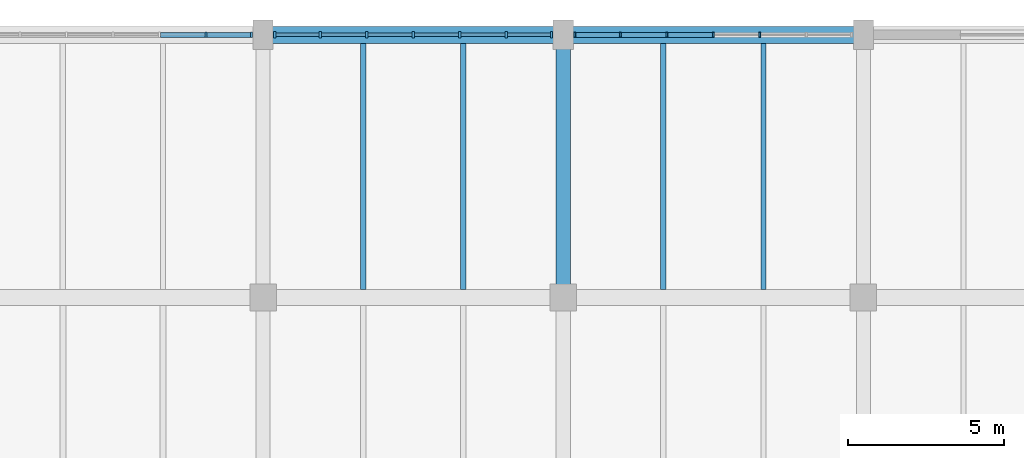
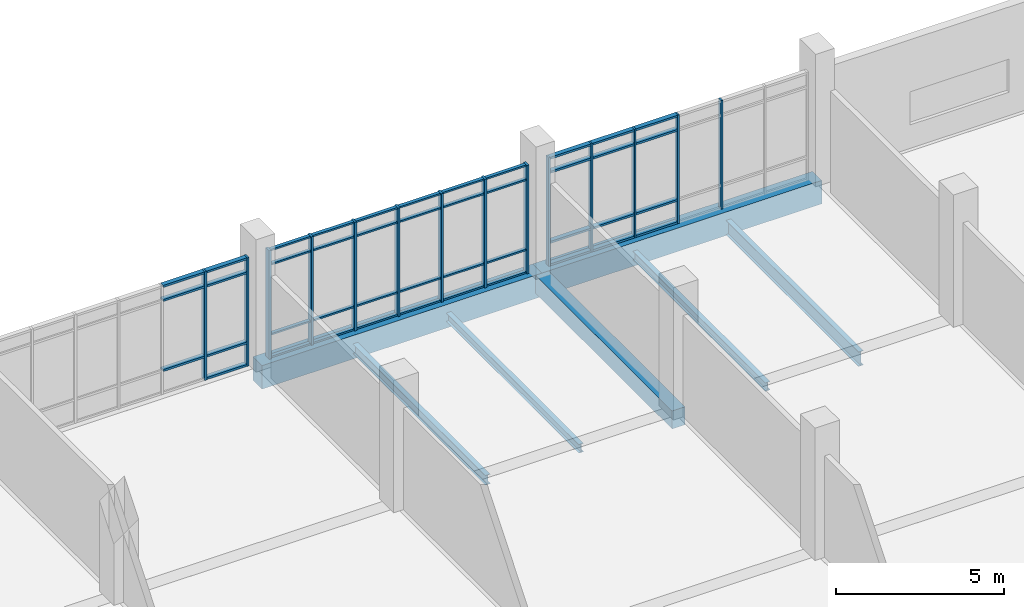
# One storey, part 79 of 152: 57 members, 7 beams, 3 elements without a shape of their own.
"""IFC4 building model written with IfcOpenShell, lengths in metres."""

from ifc_helpers import new_model, si_unit, direction, frame, origin, origin_2d, place, context, subcontext, project, spatial, rectangle, i_section, extrude, material, material_profile, profile_set, type_object, element, aggregate, save


model = new_model("IFC4")

# Units and contexts
model_context = context("Model", 3, precision=1e-05, world=origin(), true_north=direction((0.0, 1.0)))
body_context = subcontext(model_context, "Body", "Model", "MODEL_VIEW")
ifc_project = project(units=[si_unit("LENGTHUNIT", "METRE"), si_unit("AREAUNIT", "SQUARE_METRE"), si_unit("VOLUMEUNIT", "CUBIC_METRE"), si_unit("PLANEANGLEUNIT", "RADIAN"), si_unit("MASSUNIT", "GRAM", prefix="KILO")], contexts=[model_context])

# Site, building, storey
site_placement = place(None, origin())
site = spatial("IfcSite", under=ifc_project, at=site_placement, CompositionType="ELEMENT")
building_placement = place(site_placement, origin())
building = spatial("IfcBuilding", under=site, at=building_placement, Name="Oolite Switchyard Hospital", CompositionType="ELEMENT")
storey_placement = place(building_placement, frame((0.0, 0.0, 5.10009765625)))
storey = spatial("IfcBuildingStorey", under=building, at=storey_placement, Name="L01", CompositionType="ELEMENT", Elevation=5.10009765625)

# Beams
ifc_material_1 = material(Name="Concrete C40/50", Category="concrete")
ifc_material_profile_1 = material_profile(ifc_material_1, rectangle(XDim=0.449951171875, YDim=0.64990234375, at=origin_2d()), Name="RCB450X650")
ifc_profile_set_1 = profile_set([ifc_material_profile_1], Name="Concrete C40/50")
beam_type_1 = type_object("IfcBeamType", Name="BM-RC450X650", PredefinedType="BEAM", material=ifc_profile_set_1)
beam_1_placement = place(storey_placement, frame((48.0, 126.0, -0.3251953125), z_axis=(0.0, 1.0, 0.0), x_axis=(-1.0, 0.0, 0.0)))
element("IfcBeam", 1, at=beam_1_placement, inside=storey, type_object=beam_type_1, Name="L01 Y-Girder 381", PredefinedType="BEAM", context=body_context, shape_type="SweptSolid", body=[
    extrude(rectangle(XDim=0.449951171875, YDim=0.64990234375, at=origin_2d()), origin(), (0.0, 0.0, 1.0), 8.39990234375),
])
ifc_material_profile_2 = material_profile(ifc_material_1, rectangle(XDim=0.550048828125, YDim=0.85009765625, at=origin_2d()), Name="RCB550X850")
ifc_profile_set_2 = profile_set([ifc_material_profile_2], Name="Concrete C40/50")
beam_type_2 = type_object("IfcBeamType", Name="BM-RC550X850", PredefinedType="BEAM", material=ifc_profile_set_2)
for number, where, z_axis, x_axis, name in (
    (2, (38.39990234375, 134.39990234375, -0.425048828125), (1.0, 0.0, 0.0), (0.0, 1.0, 0.0), "L01 X-Girder 274"),
    (3, (48.0, 134.39990234375, -0.425048828125), (1.0, 0.0, 0.0), (0.0, 1.0, 0.0), "L01 X-Girder 275"),
):
    element("IfcBeam", number, at=place(storey_placement, frame(where, z_axis=z_axis, x_axis=x_axis)), inside=storey, type_object=beam_type_2, Name=name, PredefinedType="BEAM", context=body_context, shape_type="SweptSolid", body=[
        extrude(rectangle(XDim=0.550048828125, YDim=0.85009765625, at=origin_2d()), origin(), (0.0, 0.0, 1.0), 9.60009765625),
    ])
ifc_material_2 = material(Name="Steel ASTM A992 Grade 50", Category="steel")
ifc_material_profile_3 = material_profile(ifc_material_2, i_section(OverallWidth=0.1650390625, OverallDepth=0.31005859375, WebThickness=0.006103515625, FlangeThickness=0.010009765625, at=origin_2d()), Name="W12X26")
ifc_profile_set_3 = profile_set([ifc_material_profile_3], Name="Steel ASTM A992 Grade 50")
beam_type_3 = type_object("IfcBeamType", Name="BM-W12X26", PredefinedType="JOIST", material=ifc_profile_set_3)
for number, where, z_axis, x_axis, name in (
    (4, (44.800048828125, 126.25, -0.455078125), (0.0, 1.0, 0.0), (-1.0, 0.0, 0.0), "L01 Secondary Steel Joist 709"),
    (5, (51.199951171875, 126.25, -0.455078125), (0.0, 1.0, 0.0), (-1.0, 0.0, 0.0), "L01 Secondary Steel Joist 736"),
):
    element("IfcBeam", number, at=place(storey_placement, frame(where, z_axis=z_axis, x_axis=x_axis)), inside=storey, type_object=beam_type_3, Name=name, PredefinedType="JOIST", context=body_context, shape_type="SweptSolid", body=[
        extrude(i_section(OverallWidth=0.1650390625, OverallDepth=0.31005859375, WebThickness=0.006103515625, FlangeThickness=0.010009765625, at=origin_2d()), origin(), (0.0, 0.0, 1.0), 7.875),
    ])
ifc_material_profile_4 = material_profile(ifc_material_2, i_section(OverallWidth=0.1708984375, OverallDepth=0.35107421875, WebThickness=0.007080078125, FlangeThickness=0.010009765625, at=origin_2d()), Name="W14X30")
ifc_profile_set_4 = profile_set([ifc_material_profile_4], Name="Steel ASTM A992 Grade 50")
beam_type_4 = type_object("IfcBeamType", Name="BM-W14X30", PredefinedType="JOIST", material=ifc_profile_set_4)
beam_2_placement = place(storey_placement, frame((41.60009765625, 126.25, -0.47607421875), z_axis=(0.0, 1.0, 0.0), x_axis=(-1.0, 0.0, 0.0)))
element("IfcBeam", 6, at=beam_2_placement, inside=storey, type_object=beam_type_4, Name="L01 Secondary Steel Joist 708", PredefinedType="JOIST", context=body_context, shape_type="SweptSolid", body=[
    extrude(i_section(OverallWidth=0.1708984375, OverallDepth=0.35107421875, WebThickness=0.007080078125, FlangeThickness=0.010009765625, at=origin_2d()), origin(), (0.0, 0.0, 1.0), 7.875),
])
ifc_material_profile_5 = material_profile(ifc_material_2, i_section(OverallWidth=0.166015625, OverallDepth=0.529052734375, WebThickness=0.010009765625, FlangeThickness=0.013916015625, at=origin_2d()), Name="W21X50")
ifc_profile_set_5 = profile_set([ifc_material_profile_5], Name="Steel ASTM A992 Grade 50")
beam_type_5 = type_object("IfcBeamType", Name="BM-W21X50", PredefinedType="JOIST", material=ifc_profile_set_5)
beam_3_placement = place(storey_placement, frame((54.39990234375, 126.25, -0.564208984375), z_axis=(0.0, 1.0, 0.0), x_axis=(-1.0, 0.0, 0.0)))
element("IfcBeam", 7, at=beam_3_placement, inside=storey, type_object=beam_type_5, Name="L01 Secondary Steel Joist 737", PredefinedType="JOIST", context=body_context, shape_type="SweptSolid", body=[
    extrude(i_section(OverallWidth=0.166015625, OverallDepth=0.529052734375, WebThickness=0.010009765625, FlangeThickness=0.013916015625, at=origin_2d()), origin(), (0.0, 0.0, 1.0), 7.875),
])

# Curtain wall, members
ifc_material_3 = material(Name="Thermally broken aluminum frame with laminated impact glazing", Category="aluminium")
curtain_wall_type = type_object("IfcCurtainWallType", Name="CW-UNIT-96X48", PredefinedType="USERDEFINED", material=ifc_material_3)
curtain_wall_1_placement = place(storey_placement, origin())
curtain_wall_1 = element("IfcCurtainWall", 8, at=curtain_wall_1_placement, inside=storey, type_object=curtain_wall_type, Name="L01 Unitised Curtain Wall 155", ObjectType="UNITISED", PredefinedType="USERDEFINED")
ifc_material_4 = material(Name="Aluminium 6063-T6", Category="aluminium")
ifc_material_profile_6 = material_profile(ifc_material_4, rectangle(XDim=0.159912109375, YDim=0.06005859375, at=origin_2d()), Name="CWM60X160")
ifc_profile_set_6 = profile_set([ifc_material_profile_6], Name="Aluminium 6063-T6")
member_type_1 = type_object("IfcMemberType", Name="CW-MUL-180", PredefinedType="MULLION", material=ifc_profile_set_6)
member_1_placement = place(storey_placement, frame((48.3701171875, 134.39990234375, 0.0), z_axis=(0.0, 0.0, 1.0), x_axis=(0.0, 1.0, 0.0)))
member_1 = element("IfcMember", 9, at=member_1_placement, type_object=member_type_1, Name="CW-02 mullion 1", PredefinedType="MULLION", context=body_context, shape_type="SweptSolid", body=[
    extrude(rectangle(XDim=0.159912109375, YDim=0.06005859375, at=origin_2d()), origin(), (0.0, 0.0, 1.0), 3.93994140625),
])
member_2_placement = place(storey_placement, frame((49.82666015625, 134.39990234375, 0.0), z_axis=(0.0, 0.0, 1.0), x_axis=(0.0, 1.0, 0.0)))
member_2 = element("IfcMember", 10, at=member_2_placement, type_object=member_type_1, Name="CW-02 mullion 2", PredefinedType="MULLION", context=body_context, shape_type="SweptSolid", body=[
    extrude(rectangle(XDim=0.159912109375, YDim=0.06005859375, at=origin_2d()), origin(), (0.0, 0.0, 1.0), 3.93994140625),
])
member_3_placement = place(storey_placement, frame((51.313232421875, 134.39990234375, 0.0), z_axis=(0.0, 0.0, 1.0), x_axis=(0.0, 1.0, 0.0)))
member_3 = element("IfcMember", 11, at=member_3_placement, type_object=member_type_1, Name="CW-02 mullion 3", PredefinedType="MULLION", context=body_context, shape_type="SweptSolid", body=[
    extrude(rectangle(XDim=0.159912109375, YDim=0.06005859375, at=origin_2d()), origin(), (0.0, 0.0, 1.0), 3.93994140625),
])
member_4_placement = place(storey_placement, frame((52.800048828125, 134.39990234375, 0.0), z_axis=(0.0, 0.0, 1.0), x_axis=(0.0, 1.0, 0.0)))
member_4 = element("IfcMember", 12, at=member_4_placement, type_object=member_type_1, Name="CW-02 mullion 4", PredefinedType="MULLION", context=body_context, shape_type="SweptSolid", body=[
    extrude(rectangle(XDim=0.159912109375, YDim=0.06005859375, at=origin_2d()), origin(), (0.0, 0.0, 1.0), 3.93994140625),
])
member_5_placement = place(storey_placement, frame((54.28662109375, 134.39990234375, 0.0), z_axis=(0.0, 0.0, 1.0), x_axis=(0.0, 1.0, 0.0)))
member_5 = element("IfcMember", 13, at=member_5_placement, type_object=member_type_1, Name="CW-02 mullion 5", PredefinedType="MULLION", context=body_context, shape_type="SweptSolid", body=[
    extrude(rectangle(XDim=0.159912109375, YDim=0.06005859375, at=origin_2d()), origin(), (0.0, 0.0, 1.0), 3.93994140625),
])

curtain_wall_2_placement = place(storey_placement, origin())
curtain_wall_2 = element("IfcCurtainWall", 14, at=curtain_wall_2_placement, inside=storey, type_object=curtain_wall_type, Name="L01 Unitised Curtain Wall 153", ObjectType="UNITISED", PredefinedType="USERDEFINED")
ifc_material_profile_7 = material_profile(ifc_material_4, rectangle(XDim=0.179931640625, YDim=0.070068359375, at=origin_2d()), Name="CWM70X180")
ifc_profile_set_7 = profile_set([ifc_material_profile_7], Name="Aluminium 6063-T6")
member_type_2 = type_object("IfcMemberType", Name="CW-MUL-220", PredefinedType="MULLION", material=ifc_profile_set_7)
member_6_placement = place(storey_placement, frame((36.5732421875, 134.39990234375, 0.0), z_axis=(0.0, 0.0, 1.0), x_axis=(0.0, 1.0, 0.0)))
member_6 = element("IfcMember", 15, at=member_6_placement, type_object=member_type_2, Name="CW-02 mullion 6", PredefinedType="MULLION", context=body_context, shape_type="SweptSolid", body=[
    extrude(rectangle(XDim=0.179931640625, YDim=0.070068359375, at=origin_2d()), origin(), (0.0, 0.0, 1.0), 3.93994140625),
])
member_7_placement = place(storey_placement, frame((38.02490234375, 134.39990234375, 0.0), z_axis=(0.0, 0.0, 1.0), x_axis=(0.0, 1.0, 0.0)))
member_7 = element("IfcMember", 16, at=member_7_placement, type_object=member_type_2, Name="CW-02 mullion 7", PredefinedType="MULLION", context=body_context, shape_type="SweptSolid", body=[
    extrude(rectangle(XDim=0.179931640625, YDim=0.070068359375, at=origin_2d()), origin(), (0.0, 0.0, 1.0), 3.93994140625),
])

curtain_wall_3_placement = place(storey_placement, origin())
curtain_wall_3 = element("IfcCurtainWall", 17, at=curtain_wall_3_placement, inside=storey, type_object=curtain_wall_type, Name="L01 Unitised Curtain Wall 154", ObjectType="UNITISED", PredefinedType="USERDEFINED")
ifc_material_profile_8 = material_profile(ifc_material_4, rectangle(XDim=0.199951171875, YDim=0.074951171875, at=origin_2d()), Name="CWM75X200")
ifc_profile_set_8 = profile_set([ifc_material_profile_8], Name="Aluminium 6063-T6")
member_type_3 = type_object("IfcMemberType", Name="CW-MUL-260", PredefinedType="MULLION", material=ifc_profile_set_8)
member_8_placement = place(storey_placement, frame((38.777587890625, 134.39990234375, 0.0), z_axis=(0.0, 0.0, 1.0), x_axis=(0.0, 1.0, 0.0)))
member_8 = element("IfcMember", 18, at=member_8_placement, type_object=member_type_3, Name="CW-02 mullion 1", PredefinedType="MULLION", context=body_context, shape_type="SweptSolid", body=[
    extrude(rectangle(XDim=0.199951171875, YDim=0.074951171875, at=origin_2d()), origin(), (0.0, 0.0, 1.0), 3.93994140625),
])
member_9_placement = place(storey_placement, frame((40.2265625, 134.39990234375, 0.0), z_axis=(0.0, 0.0, 1.0), x_axis=(0.0, 1.0, 0.0)))
member_9 = element("IfcMember", 19, at=member_9_placement, type_object=member_type_3, Name="CW-02 mullion 2", PredefinedType="MULLION", context=body_context, shape_type="SweptSolid", body=[
    extrude(rectangle(XDim=0.199951171875, YDim=0.074951171875, at=origin_2d()), origin(), (0.0, 0.0, 1.0), 3.93994140625),
])
member_10_placement = place(storey_placement, frame((41.71337890625, 134.39990234375, 0.0), z_axis=(0.0, 0.0, 1.0), x_axis=(0.0, 1.0, 0.0)))
member_10 = element("IfcMember", 20, at=member_10_placement, type_object=member_type_3, Name="CW-02 mullion 3", PredefinedType="MULLION", context=body_context, shape_type="SweptSolid", body=[
    extrude(rectangle(XDim=0.199951171875, YDim=0.074951171875, at=origin_2d()), origin(), (0.0, 0.0, 1.0), 3.93994140625),
])
member_11_placement = place(storey_placement, frame((43.199951171875, 134.39990234375, 0.0), z_axis=(0.0, 0.0, 1.0), x_axis=(0.0, 1.0, 0.0)))
member_11 = element("IfcMember", 21, at=member_11_placement, type_object=member_type_3, Name="CW-02 mullion 4", PredefinedType="MULLION", context=body_context, shape_type="SweptSolid", body=[
    extrude(rectangle(XDim=0.199951171875, YDim=0.074951171875, at=origin_2d()), origin(), (0.0, 0.0, 1.0), 3.93994140625),
])
member_12_placement = place(storey_placement, frame((44.686767578125, 134.39990234375, 0.0), z_axis=(0.0, 0.0, 1.0), x_axis=(0.0, 1.0, 0.0)))
member_12 = element("IfcMember", 22, at=member_12_placement, type_object=member_type_3, Name="CW-02 mullion 5", PredefinedType="MULLION", context=body_context, shape_type="SweptSolid", body=[
    extrude(rectangle(XDim=0.199951171875, YDim=0.074951171875, at=origin_2d()), origin(), (0.0, 0.0, 1.0), 3.93994140625),
])
member_13_placement = place(storey_placement, frame((46.17333984375, 134.39990234375, 0.0), z_axis=(0.0, 0.0, 1.0), x_axis=(0.0, 1.0, 0.0)))
member_13 = element("IfcMember", 23, at=member_13_placement, type_object=member_type_3, Name="CW-02 mullion 6", PredefinedType="MULLION", context=body_context, shape_type="SweptSolid", body=[
    extrude(rectangle(XDim=0.199951171875, YDim=0.074951171875, at=origin_2d()), origin(), (0.0, 0.0, 1.0), 3.93994140625),
])
member_14_placement = place(storey_placement, frame((47.62255859375, 134.39990234375, 0.0), z_axis=(0.0, 0.0, 1.0), x_axis=(0.0, 1.0, 0.0)))
member_14 = element("IfcMember", 24, at=member_14_placement, type_object=member_type_3, Name="CW-02 mullion 7", PredefinedType="MULLION", context=body_context, shape_type="SweptSolid", body=[
    extrude(rectangle(XDim=0.199951171875, YDim=0.074951171875, at=origin_2d()), origin(), (0.0, 0.0, 1.0), 3.93994140625),
])
ifc_material_profile_9 = material_profile(ifc_material_4, rectangle(XDim=0.1201171875, YDim=0.06005859375, at=origin_2d()), Name="CWT60X120")
ifc_profile_set_9 = profile_set([ifc_material_profile_9], Name="Aluminium 6063-T6")
member_type_4 = type_object("IfcMemberType", Name="CW-TRN-150", PredefinedType="USERDEFINED", material=ifc_profile_set_9)
member_15_placement = place(storey_placement, frame((38.81494140625, 134.39990234375, 0.02978515625), z_axis=(1.0, 0.0, 0.0), x_axis=(0.0, 1.0, 0.0)))
member_15 = element("IfcMember", 25, at=member_15_placement, type_object=member_type_4, Name="CW-02 transom 1.1", ObjectType="TRANSOM", PredefinedType="USERDEFINED", context=body_context, shape_type="SweptSolid", body=[
    extrude(rectangle(XDim=0.1201171875, YDim=0.06005859375, at=origin_2d()), origin(), (0.0, 0.0, 1.0), 1.374267578125),
])
member_16_placement = place(storey_placement, frame((38.81494140625, 134.39990234375, 0.849853515625), z_axis=(1.0, 0.0, 0.0), x_axis=(0.0, 1.0, 0.0)))
member_16 = element("IfcMember", 26, at=member_16_placement, type_object=member_type_4, Name="CW-02 transom 1.2", ObjectType="TRANSOM", PredefinedType="USERDEFINED", context=body_context, shape_type="SweptSolid", body=[
    extrude(rectangle(XDim=0.1201171875, YDim=0.06005859375, at=origin_2d()), origin(), (0.0, 0.0, 1.0), 1.374267578125),
])
member_17_placement = place(storey_placement, frame((38.81494140625, 134.39990234375, 3.389892578125), z_axis=(1.0, 0.0, 0.0), x_axis=(0.0, 1.0, 0.0)))
member_17 = element("IfcMember", 27, at=member_17_placement, type_object=member_type_4, Name="CW-02 transom 1.3", ObjectType="TRANSOM", PredefinedType="USERDEFINED", context=body_context, shape_type="SweptSolid", body=[
    extrude(rectangle(XDim=0.1201171875, YDim=0.06005859375, at=origin_2d()), origin(), (0.0, 0.0, 1.0), 1.374267578125),
])
member_18_placement = place(storey_placement, frame((38.81494140625, 134.39990234375, 3.909912109375), z_axis=(1.0, 0.0, 0.0), x_axis=(0.0, 1.0, 0.0)))
member_18 = element("IfcMember", 28, at=member_18_placement, type_object=member_type_4, Name="CW-02 transom 1.4", ObjectType="TRANSOM", PredefinedType="USERDEFINED", context=body_context, shape_type="SweptSolid", body=[
    extrude(rectangle(XDim=0.1201171875, YDim=0.06005859375, at=origin_2d()), origin(), (0.0, 0.0, 1.0), 1.374267578125),
])
member_19_placement = place(storey_placement, frame((40.26416015625, 134.39990234375, 0.02978515625), z_axis=(1.0, 0.0, 0.0), x_axis=(0.0, 1.0, 0.0)))
member_19 = element("IfcMember", 29, at=member_19_placement, type_object=member_type_4, Name="CW-02 transom 2.1", ObjectType="TRANSOM", PredefinedType="USERDEFINED", context=body_context, shape_type="SweptSolid", body=[
    extrude(rectangle(XDim=0.1201171875, YDim=0.06005859375, at=origin_2d()), origin(), (0.0, 0.0, 1.0), 1.41162109375),
])
member_20_placement = place(storey_placement, frame((40.26416015625, 134.39990234375, 0.849853515625), z_axis=(1.0, 0.0, 0.0), x_axis=(0.0, 1.0, 0.0)))
member_20 = element("IfcMember", 30, at=member_20_placement, type_object=member_type_4, Name="CW-02 transom 2.2", ObjectType="TRANSOM", PredefinedType="USERDEFINED", context=body_context, shape_type="SweptSolid", body=[
    extrude(rectangle(XDim=0.1201171875, YDim=0.06005859375, at=origin_2d()), origin(), (0.0, 0.0, 1.0), 1.41162109375),
])
member_21_placement = place(storey_placement, frame((40.26416015625, 134.39990234375, 3.389892578125), z_axis=(1.0, 0.0, 0.0), x_axis=(0.0, 1.0, 0.0)))
member_21 = element("IfcMember", 31, at=member_21_placement, type_object=member_type_4, Name="CW-02 transom 2.3", ObjectType="TRANSOM", PredefinedType="USERDEFINED", context=body_context, shape_type="SweptSolid", body=[
    extrude(rectangle(XDim=0.1201171875, YDim=0.06005859375, at=origin_2d()), origin(), (0.0, 0.0, 1.0), 1.41162109375),
])
member_22_placement = place(storey_placement, frame((40.26416015625, 134.39990234375, 3.909912109375), z_axis=(1.0, 0.0, 0.0), x_axis=(0.0, 1.0, 0.0)))
member_22 = element("IfcMember", 32, at=member_22_placement, type_object=member_type_4, Name="CW-02 transom 2.4", ObjectType="TRANSOM", PredefinedType="USERDEFINED", context=body_context, shape_type="SweptSolid", body=[
    extrude(rectangle(XDim=0.1201171875, YDim=0.06005859375, at=origin_2d()), origin(), (0.0, 0.0, 1.0), 1.41162109375),
])
member_23_placement = place(storey_placement, frame((41.750732421875, 134.39990234375, 0.02978515625), z_axis=(1.0, 0.0, 0.0), x_axis=(0.0, 1.0, 0.0)))
member_23 = element("IfcMember", 33, at=member_23_placement, type_object=member_type_4, Name="CW-02 transom 3.1", ObjectType="TRANSOM", PredefinedType="USERDEFINED", context=body_context, shape_type="SweptSolid", body=[
    extrude(rectangle(XDim=0.1201171875, YDim=0.06005859375, at=origin_2d()), origin(), (0.0, 0.0, 1.0), 1.411865234375),
])
member_24_placement = place(storey_placement, frame((41.750732421875, 134.39990234375, 0.849853515625), z_axis=(1.0, 0.0, 0.0), x_axis=(0.0, 1.0, 0.0)))
member_24 = element("IfcMember", 34, at=member_24_placement, type_object=member_type_4, Name="CW-02 transom 3.2", ObjectType="TRANSOM", PredefinedType="USERDEFINED", context=body_context, shape_type="SweptSolid", body=[
    extrude(rectangle(XDim=0.1201171875, YDim=0.06005859375, at=origin_2d()), origin(), (0.0, 0.0, 1.0), 1.411865234375),
])
member_25_placement = place(storey_placement, frame((41.750732421875, 134.39990234375, 3.389892578125), z_axis=(1.0, 0.0, 0.0), x_axis=(0.0, 1.0, 0.0)))
member_25 = element("IfcMember", 35, at=member_25_placement, type_object=member_type_4, Name="CW-02 transom 3.3", ObjectType="TRANSOM", PredefinedType="USERDEFINED", context=body_context, shape_type="SweptSolid", body=[
    extrude(rectangle(XDim=0.1201171875, YDim=0.06005859375, at=origin_2d()), origin(), (0.0, 0.0, 1.0), 1.411865234375),
])
member_26_placement = place(storey_placement, frame((41.750732421875, 134.39990234375, 3.909912109375), z_axis=(1.0, 0.0, 0.0), x_axis=(0.0, 1.0, 0.0)))
member_26 = element("IfcMember", 36, at=member_26_placement, type_object=member_type_4, Name="CW-02 transom 3.4", ObjectType="TRANSOM", PredefinedType="USERDEFINED", context=body_context, shape_type="SweptSolid", body=[
    extrude(rectangle(XDim=0.1201171875, YDim=0.06005859375, at=origin_2d()), origin(), (0.0, 0.0, 1.0), 1.411865234375),
])
member_27_placement = place(storey_placement, frame((43.237548828125, 134.39990234375, 0.02978515625), z_axis=(1.0, 0.0, 0.0), x_axis=(0.0, 1.0, 0.0)))
member_27 = element("IfcMember", 37, at=member_27_placement, type_object=member_type_4, Name="CW-02 transom 4.1", ObjectType="TRANSOM", PredefinedType="USERDEFINED", context=body_context, shape_type="SweptSolid", body=[
    extrude(rectangle(XDim=0.1201171875, YDim=0.06005859375, at=origin_2d()), origin(), (0.0, 0.0, 1.0), 1.41162109375),
])
member_28_placement = place(storey_placement, frame((43.237548828125, 134.39990234375, 0.849853515625), z_axis=(1.0, 0.0, 0.0), x_axis=(0.0, 1.0, 0.0)))
member_28 = element("IfcMember", 38, at=member_28_placement, type_object=member_type_4, Name="CW-02 transom 4.2", ObjectType="TRANSOM", PredefinedType="USERDEFINED", context=body_context, shape_type="SweptSolid", body=[
    extrude(rectangle(XDim=0.1201171875, YDim=0.06005859375, at=origin_2d()), origin(), (0.0, 0.0, 1.0), 1.41162109375),
])
member_29_placement = place(storey_placement, frame((43.237548828125, 134.39990234375, 3.389892578125), z_axis=(1.0, 0.0, 0.0), x_axis=(0.0, 1.0, 0.0)))
member_29 = element("IfcMember", 39, at=member_29_placement, type_object=member_type_4, Name="CW-02 transom 4.3", ObjectType="TRANSOM", PredefinedType="USERDEFINED", context=body_context, shape_type="SweptSolid", body=[
    extrude(rectangle(XDim=0.1201171875, YDim=0.06005859375, at=origin_2d()), origin(), (0.0, 0.0, 1.0), 1.41162109375),
])
member_30_placement = place(storey_placement, frame((43.237548828125, 134.39990234375, 3.909912109375), z_axis=(1.0, 0.0, 0.0), x_axis=(0.0, 1.0, 0.0)))
member_30 = element("IfcMember", 40, at=member_30_placement, type_object=member_type_4, Name="CW-02 transom 4.4", ObjectType="TRANSOM", PredefinedType="USERDEFINED", context=body_context, shape_type="SweptSolid", body=[
    extrude(rectangle(XDim=0.1201171875, YDim=0.06005859375, at=origin_2d()), origin(), (0.0, 0.0, 1.0), 1.41162109375),
])
member_31_placement = place(storey_placement, frame((44.72412109375, 134.39990234375, 0.02978515625), z_axis=(1.0, 0.0, 0.0), x_axis=(0.0, 1.0, 0.0)))
member_31 = element("IfcMember", 41, at=member_31_placement, type_object=member_type_4, Name="CW-02 transom 5.1", ObjectType="TRANSOM", PredefinedType="USERDEFINED", context=body_context, shape_type="SweptSolid", body=[
    extrude(rectangle(XDim=0.1201171875, YDim=0.06005859375, at=origin_2d()), origin(), (0.0, 0.0, 1.0), 1.41162109375),
])
member_32_placement = place(storey_placement, frame((44.72412109375, 134.39990234375, 0.849853515625), z_axis=(1.0, 0.0, 0.0), x_axis=(0.0, 1.0, 0.0)))
member_32 = element("IfcMember", 42, at=member_32_placement, type_object=member_type_4, Name="CW-02 transom 5.2", ObjectType="TRANSOM", PredefinedType="USERDEFINED", context=body_context, shape_type="SweptSolid", body=[
    extrude(rectangle(XDim=0.1201171875, YDim=0.06005859375, at=origin_2d()), origin(), (0.0, 0.0, 1.0), 1.41162109375),
])
member_33_placement = place(storey_placement, frame((44.72412109375, 134.39990234375, 3.389892578125), z_axis=(1.0, 0.0, 0.0), x_axis=(0.0, 1.0, 0.0)))
member_33 = element("IfcMember", 43, at=member_33_placement, type_object=member_type_4, Name="CW-02 transom 5.3", ObjectType="TRANSOM", PredefinedType="USERDEFINED", context=body_context, shape_type="SweptSolid", body=[
    extrude(rectangle(XDim=0.1201171875, YDim=0.06005859375, at=origin_2d()), origin(), (0.0, 0.0, 1.0), 1.41162109375),
])
member_34_placement = place(storey_placement, frame((44.72412109375, 134.39990234375, 3.909912109375), z_axis=(1.0, 0.0, 0.0), x_axis=(0.0, 1.0, 0.0)))
member_34 = element("IfcMember", 44, at=member_34_placement, type_object=member_type_4, Name="CW-02 transom 5.4", ObjectType="TRANSOM", PredefinedType="USERDEFINED", context=body_context, shape_type="SweptSolid", body=[
    extrude(rectangle(XDim=0.1201171875, YDim=0.06005859375, at=origin_2d()), origin(), (0.0, 0.0, 1.0), 1.41162109375),
])
member_35_placement = place(storey_placement, frame((46.2109375, 134.39990234375, 0.02978515625), z_axis=(1.0, 0.0, 0.0), x_axis=(0.0, 1.0, 0.0)))
member_35 = element("IfcMember", 45, at=member_35_placement, type_object=member_type_4, Name="CW-02 transom 6.1", ObjectType="TRANSOM", PredefinedType="USERDEFINED", context=body_context, shape_type="SweptSolid", body=[
    extrude(rectangle(XDim=0.1201171875, YDim=0.06005859375, at=origin_2d()), origin(), (0.0, 0.0, 1.0), 1.3740234375),
])
member_36_placement = place(storey_placement, frame((46.2109375, 134.39990234375, 0.849853515625), z_axis=(1.0, 0.0, 0.0), x_axis=(0.0, 1.0, 0.0)))
member_36 = element("IfcMember", 46, at=member_36_placement, type_object=member_type_4, Name="CW-02 transom 6.2", ObjectType="TRANSOM", PredefinedType="USERDEFINED", context=body_context, shape_type="SweptSolid", body=[
    extrude(rectangle(XDim=0.1201171875, YDim=0.06005859375, at=origin_2d()), origin(), (0.0, 0.0, 1.0), 1.3740234375),
])
member_37_placement = place(storey_placement, frame((46.2109375, 134.39990234375, 3.389892578125), z_axis=(1.0, 0.0, 0.0), x_axis=(0.0, 1.0, 0.0)))
member_37 = element("IfcMember", 47, at=member_37_placement, type_object=member_type_4, Name="CW-02 transom 6.3", ObjectType="TRANSOM", PredefinedType="USERDEFINED", context=body_context, shape_type="SweptSolid", body=[
    extrude(rectangle(XDim=0.1201171875, YDim=0.06005859375, at=origin_2d()), origin(), (0.0, 0.0, 1.0), 1.3740234375),
])
member_38_placement = place(storey_placement, frame((46.2109375, 134.39990234375, 3.909912109375), z_axis=(1.0, 0.0, 0.0), x_axis=(0.0, 1.0, 0.0)))
member_38 = element("IfcMember", 48, at=member_38_placement, type_object=member_type_4, Name="CW-02 transom 6.4", ObjectType="TRANSOM", PredefinedType="USERDEFINED", context=body_context, shape_type="SweptSolid", body=[
    extrude(rectangle(XDim=0.1201171875, YDim=0.06005859375, at=origin_2d()), origin(), (0.0, 0.0, 1.0), 1.3740234375),
])
aggregate(curtain_wall_3, [member_8, member_9, member_10, member_11, member_12, member_13, member_14, member_15, member_16, member_17, member_18, member_19, member_20, member_21, member_22, member_23, member_24, member_25, member_26, member_27, member_28, member_29, member_30, member_31, member_32, member_33, member_34, member_35, member_36, member_37, member_38])

# Member
ifc_material_profile_10 = material_profile(ifc_material_4, rectangle(XDim=0.159912109375, YDim=0.074951171875, at=origin_2d()), Name="CWT75X160")
ifc_profile_set_10 = profile_set([ifc_material_profile_10], Name="Aluminium 6063-T6")
member_type_5 = type_object("IfcMemberType", Name="CW-TRN-180", PredefinedType="USERDEFINED", material=ifc_profile_set_10)
member_39_placement = place(storey_placement, frame((35.12158203125, 134.39990234375, 0.849853515625), z_axis=(1.0, 0.0, 0.0), x_axis=(0.0, 1.0, 0.0)))
member_39 = element("IfcMember", 49, at=member_39_placement, type_object=member_type_5, Name="CW-02 transom 5.2", ObjectType="TRANSOM", PredefinedType="USERDEFINED", context=body_context, shape_type="SweptSolid", body=[
    extrude(rectangle(XDim=0.159912109375, YDim=0.074951171875, at=origin_2d()), origin(), (0.0, 0.0, 1.0), 1.416748046875),
])

member_40_placement = place(storey_placement, frame((35.12158203125, 134.39990234375, 3.389892578125), z_axis=(1.0, 0.0, 0.0), x_axis=(0.0, 1.0, 0.0)))
member_40 = element("IfcMember", 50, at=member_40_placement, type_object=member_type_5, Name="CW-02 transom 5.3", ObjectType="TRANSOM", PredefinedType="USERDEFINED", context=body_context, shape_type="SweptSolid", body=[
    extrude(rectangle(XDim=0.159912109375, YDim=0.074951171875, at=origin_2d()), origin(), (0.0, 0.0, 1.0), 1.416748046875),
])

member_41_placement = place(storey_placement, frame((35.12158203125, 134.39990234375, 3.90234375), z_axis=(1.0, 0.0, 0.0), x_axis=(0.0, 1.0, 0.0)))
member_41 = element("IfcMember", 51, at=member_41_placement, type_object=member_type_5, Name="CW-02 transom 5.4", ObjectType="TRANSOM", PredefinedType="USERDEFINED", context=body_context, shape_type="SweptSolid", body=[
    extrude(rectangle(XDim=0.159912109375, YDim=0.074951171875, at=origin_2d()), origin(), (0.0, 0.0, 1.0), 1.416748046875),
])

member_42_placement = place(storey_placement, frame((36.6083984375, 134.39990234375, 0.037353515625), z_axis=(1.0, 0.0, 0.0), x_axis=(0.0, 1.0, 0.0)))
member_42 = element("IfcMember", 52, at=member_42_placement, type_object=member_type_5, Name="CW-02 transom 6.1", ObjectType="TRANSOM", PredefinedType="USERDEFINED", context=body_context, shape_type="SweptSolid", body=[
    extrude(rectangle(XDim=0.159912109375, YDim=0.074951171875, at=origin_2d()), origin(), (0.0, 0.0, 1.0), 1.381591796875),
])

member_43_placement = place(storey_placement, frame((36.6083984375, 134.39990234375, 0.849853515625), z_axis=(1.0, 0.0, 0.0), x_axis=(0.0, 1.0, 0.0)))
member_43 = element("IfcMember", 53, at=member_43_placement, type_object=member_type_5, Name="CW-02 transom 6.2", ObjectType="TRANSOM", PredefinedType="USERDEFINED", context=body_context, shape_type="SweptSolid", body=[
    extrude(rectangle(XDim=0.159912109375, YDim=0.074951171875, at=origin_2d()), origin(), (0.0, 0.0, 1.0), 1.381591796875),
])

member_44_placement = place(storey_placement, frame((36.6083984375, 134.39990234375, 3.389892578125), z_axis=(1.0, 0.0, 0.0), x_axis=(0.0, 1.0, 0.0)))
member_44 = element("IfcMember", 54, at=member_44_placement, type_object=member_type_5, Name="CW-02 transom 6.3", ObjectType="TRANSOM", PredefinedType="USERDEFINED", context=body_context, shape_type="SweptSolid", body=[
    extrude(rectangle(XDim=0.159912109375, YDim=0.074951171875, at=origin_2d()), origin(), (0.0, 0.0, 1.0), 1.381591796875),
])

member_45_placement = place(storey_placement, frame((36.6083984375, 134.39990234375, 3.90234375), z_axis=(1.0, 0.0, 0.0), x_axis=(0.0, 1.0, 0.0)))
member_45 = element("IfcMember", 55, at=member_45_placement, type_object=member_type_5, Name="CW-02 transom 6.4", ObjectType="TRANSOM", PredefinedType="USERDEFINED", context=body_context, shape_type="SweptSolid", body=[
    extrude(rectangle(XDim=0.159912109375, YDim=0.074951171875, at=origin_2d()), origin(), (0.0, 0.0, 1.0), 1.381591796875),
])

aggregate(curtain_wall_2, [member_6, member_7, member_39, member_40, member_41, member_42, member_43, member_44, member_45])

member_46_placement = place(storey_placement, frame((48.39990234375, 134.39990234375, 0.037353515625), z_axis=(1.0, 0.0, 0.0), x_axis=(0.0, 1.0, 0.0)))
member_46 = element("IfcMember", 56, at=member_46_placement, type_object=member_type_5, Name="CW-02 transom 1.1", ObjectType="TRANSOM", PredefinedType="USERDEFINED", context=body_context, shape_type="SweptSolid", body=[
    extrude(rectangle(XDim=0.159912109375, YDim=0.074951171875, at=origin_2d()), origin(), (0.0, 0.0, 1.0), 1.396728515625),
])

member_47_placement = place(storey_placement, frame((48.39990234375, 134.39990234375, 0.849853515625), z_axis=(1.0, 0.0, 0.0), x_axis=(0.0, 1.0, 0.0)))
member_47 = element("IfcMember", 57, at=member_47_placement, type_object=member_type_5, Name="CW-02 transom 1.2", ObjectType="TRANSOM", PredefinedType="USERDEFINED", context=body_context, shape_type="SweptSolid", body=[
    extrude(rectangle(XDim=0.159912109375, YDim=0.074951171875, at=origin_2d()), origin(), (0.0, 0.0, 1.0), 1.396728515625),
])

member_48_placement = place(storey_placement, frame((48.39990234375, 134.39990234375, 3.389892578125), z_axis=(1.0, 0.0, 0.0), x_axis=(0.0, 1.0, 0.0)))
member_48 = element("IfcMember", 58, at=member_48_placement, type_object=member_type_5, Name="CW-02 transom 1.3", ObjectType="TRANSOM", PredefinedType="USERDEFINED", context=body_context, shape_type="SweptSolid", body=[
    extrude(rectangle(XDim=0.159912109375, YDim=0.074951171875, at=origin_2d()), origin(), (0.0, 0.0, 1.0), 1.396728515625),
])

member_49_placement = place(storey_placement, frame((48.39990234375, 134.39990234375, 3.90234375), z_axis=(1.0, 0.0, 0.0), x_axis=(0.0, 1.0, 0.0)))
member_49 = element("IfcMember", 59, at=member_49_placement, type_object=member_type_5, Name="CW-02 transom 1.4", ObjectType="TRANSOM", PredefinedType="USERDEFINED", context=body_context, shape_type="SweptSolid", body=[
    extrude(rectangle(XDim=0.159912109375, YDim=0.074951171875, at=origin_2d()), origin(), (0.0, 0.0, 1.0), 1.396728515625),
])

member_50_placement = place(storey_placement, frame((49.856689453125, 134.39990234375, 0.037353515625), z_axis=(1.0, 0.0, 0.0), x_axis=(0.0, 1.0, 0.0)))
member_50 = element("IfcMember", 60, at=member_50_placement, type_object=member_type_5, Name="CW-02 transom 2.1", ObjectType="TRANSOM", PredefinedType="USERDEFINED", context=body_context, shape_type="SweptSolid", body=[
    extrude(rectangle(XDim=0.159912109375, YDim=0.074951171875, at=origin_2d()), origin(), (0.0, 0.0, 1.0), 1.4267578125),
])

member_51_placement = place(storey_placement, frame((49.856689453125, 134.39990234375, 0.849853515625), z_axis=(1.0, 0.0, 0.0), x_axis=(0.0, 1.0, 0.0)))
member_51 = element("IfcMember", 61, at=member_51_placement, type_object=member_type_5, Name="CW-02 transom 2.2", ObjectType="TRANSOM", PredefinedType="USERDEFINED", context=body_context, shape_type="SweptSolid", body=[
    extrude(rectangle(XDim=0.159912109375, YDim=0.074951171875, at=origin_2d()), origin(), (0.0, 0.0, 1.0), 1.4267578125),
])

member_52_placement = place(storey_placement, frame((49.856689453125, 134.39990234375, 3.389892578125), z_axis=(1.0, 0.0, 0.0), x_axis=(0.0, 1.0, 0.0)))
member_52 = element("IfcMember", 62, at=member_52_placement, type_object=member_type_5, Name="CW-02 transom 2.3", ObjectType="TRANSOM", PredefinedType="USERDEFINED", context=body_context, shape_type="SweptSolid", body=[
    extrude(rectangle(XDim=0.159912109375, YDim=0.074951171875, at=origin_2d()), origin(), (0.0, 0.0, 1.0), 1.4267578125),
])

member_53_placement = place(storey_placement, frame((49.856689453125, 134.39990234375, 3.90234375), z_axis=(1.0, 0.0, 0.0), x_axis=(0.0, 1.0, 0.0)))
member_53 = element("IfcMember", 63, at=member_53_placement, type_object=member_type_5, Name="CW-02 transom 2.4", ObjectType="TRANSOM", PredefinedType="USERDEFINED", context=body_context, shape_type="SweptSolid", body=[
    extrude(rectangle(XDim=0.159912109375, YDim=0.074951171875, at=origin_2d()), origin(), (0.0, 0.0, 1.0), 1.4267578125),
])

member_54_placement = place(storey_placement, frame((51.34326171875, 134.39990234375, 0.037353515625), z_axis=(1.0, 0.0, 0.0), x_axis=(0.0, 1.0, 0.0)))
member_54 = element("IfcMember", 64, at=member_54_placement, type_object=member_type_5, Name="CW-02 transom 3.1", ObjectType="TRANSOM", PredefinedType="USERDEFINED", context=body_context, shape_type="SweptSolid", body=[
    extrude(rectangle(XDim=0.159912109375, YDim=0.074951171875, at=origin_2d()), origin(), (0.0, 0.0, 1.0), 1.4267578125),
])

member_55_placement = place(storey_placement, frame((51.34326171875, 134.39990234375, 0.849853515625), z_axis=(1.0, 0.0, 0.0), x_axis=(0.0, 1.0, 0.0)))
member_55 = element("IfcMember", 65, at=member_55_placement, type_object=member_type_5, Name="CW-02 transom 3.2", ObjectType="TRANSOM", PredefinedType="USERDEFINED", context=body_context, shape_type="SweptSolid", body=[
    extrude(rectangle(XDim=0.159912109375, YDim=0.074951171875, at=origin_2d()), origin(), (0.0, 0.0, 1.0), 1.4267578125),
])

member_56_placement = place(storey_placement, frame((51.34326171875, 134.39990234375, 3.389892578125), z_axis=(1.0, 0.0, 0.0), x_axis=(0.0, 1.0, 0.0)))
member_56 = element("IfcMember", 66, at=member_56_placement, type_object=member_type_5, Name="CW-02 transom 3.3", ObjectType="TRANSOM", PredefinedType="USERDEFINED", context=body_context, shape_type="SweptSolid", body=[
    extrude(rectangle(XDim=0.159912109375, YDim=0.074951171875, at=origin_2d()), origin(), (0.0, 0.0, 1.0), 1.4267578125),
])

member_57_placement = place(storey_placement, frame((51.34326171875, 134.39990234375, 3.90234375), z_axis=(1.0, 0.0, 0.0), x_axis=(0.0, 1.0, 0.0)))
member_57 = element("IfcMember", 67, at=member_57_placement, type_object=member_type_5, Name="CW-02 transom 3.4", ObjectType="TRANSOM", PredefinedType="USERDEFINED", context=body_context, shape_type="SweptSolid", body=[
    extrude(rectangle(XDim=0.159912109375, YDim=0.074951171875, at=origin_2d()), origin(), (0.0, 0.0, 1.0), 1.4267578125),
])

aggregate(curtain_wall_1, [member_1, member_2, member_3, member_4, member_5, member_46, member_47, member_48, member_49, member_50, member_51, member_52, member_53, member_54, member_55, member_56, member_57])

save(model, "model.ifc")
